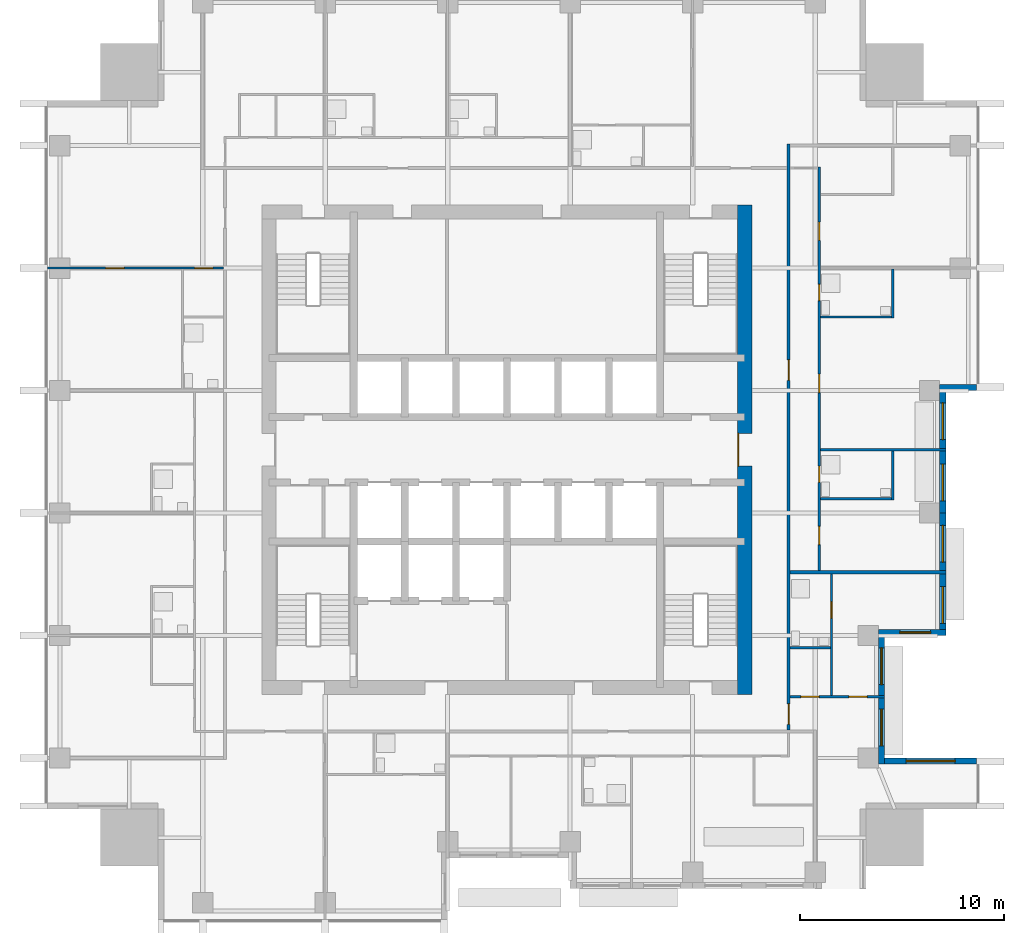
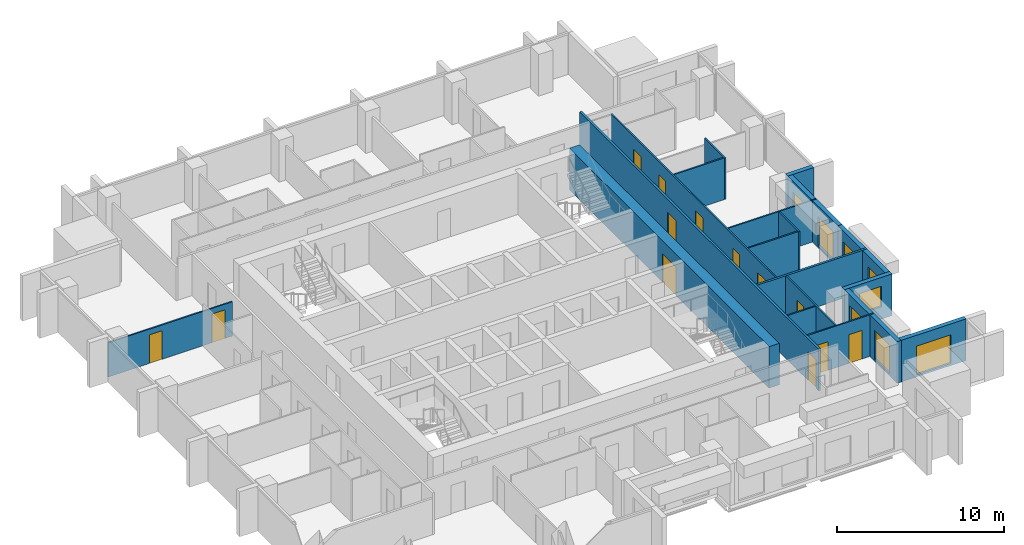
# One storey, part 6 of 10: 19 walls, 13 doors, 8 windows, 21 openings.
"""IFC4 building model written with IfcOpenShell, lengths in metres."""

from ifc_helpers import new_model, si_unit, direction, frame, frame_2d, origin, place, context, subcontext, project, spatial, rectangle, extrude, material, layer, layer_set, type_object, element, fill, save


model = new_model("IFC4")

# Units and contexts
model_context = context("Model", 3, precision=1e-05, world=origin(), true_north=direction((0.0, 1.0)))
body_context = subcontext(model_context, "Body", "Model", "MODEL_VIEW")
ifc_project = project(units=[si_unit("LENGTHUNIT", "METRE"), si_unit("AREAUNIT", "SQUARE_METRE"), si_unit("VOLUMEUNIT", "CUBIC_METRE"), si_unit("PLANEANGLEUNIT", "RADIAN"), si_unit("MASSUNIT", "GRAM", prefix="KILO")], contexts=[model_context])

# Site, building, storey
site_placement = place(None, origin())
site = spatial("IfcSite", under=ifc_project, at=site_placement, CompositionType="ELEMENT")
building_placement = place(site_placement, origin())
building = spatial("IfcBuilding", under=site, at=building_placement, Name="Amberfall Residences", CompositionType="ELEMENT")
storey_placement = place(building_placement, frame((0.0, 0.0, 140.5)))
storey = spatial("IfcBuildingStorey", under=building, at=storey_placement, Name="L37", CompositionType="ELEMENT", Elevation=140.5)

# Wall, opening, window
ifc_material_1 = material(Name="Pale stone cladding on insulated backing", Category="masonry")
ifc_layer_1 = layer(ifc_material_1, 0.300048828125)
ifc_layer_set_1 = layer_set([ifc_layer_1], Name="Bronze clad wall 300")
wall_type_1 = type_object("IfcWallType", Name="Bronze clad wall 300", PredefinedType="SOLIDWALL", material=ifc_layer_set_1)
wall_1_placement = place(storey_placement, frame((97.5, 30.25, 0.0), z_axis=(0.0, 0.0, 1.0), x_axis=(-1.0, 0.0, 0.0)))
wall_1 = element("IfcWall", 1, at=wall_1_placement, inside=storey, type_object=wall_type_1, Name="External wall L37 E", PredefinedType="SOLIDWALL", context=body_context, shape_type="SweptSolid", body=[
    extrude(rectangle(XDim=4.5, YDim=0.300048828125, at=frame_2d((2.25, 0.0))), origin(), (0.0, 0.0, 1.0), 3.050048828125),
])
opening_1_placement = place(wall_1_placement, frame((1.050048828125, 0.0, 0.14990234375)))
opening_1 = element("IfcOpeningElement", 2, at=opening_1_placement, cuts=wall_1, Name="Opening WN5", PredefinedType="OPENING", context=body_context, shape_type="SweptSolid", body=[
    extrude(rectangle(XDim=2.39990234375, YDim=2.10009765625, at=frame_2d((1.199951171875, 1.050048828125))), frame((0.0, 0.159912109375, 0.0), z_axis=(0.0, -1.0, 0.0), x_axis=(1.0, 0.0, 0.0)), (0.0, 0.0, 1.0), 0.320068359375),
])
ifc_material_2 = material(Name="Bronze aluminium framed glazing", Category="aluminium")
window_type_1 = type_object("IfcWindowType", Name="Glazed opening 2400 x 2100 bronze", PartitioningType="DOUBLE_PANEL_VERTICAL", PredefinedType="WINDOW", material=ifc_material_2)
window_1_placement = place(opening_1_placement, origin())
window_1 = element("IfcWindow", 3, at=window_1_placement, inside=storey, type_object=window_type_1, Name="Window L37 E", OverallHeight=2.10009765625, OverallWidth=2.39990234375, PartitioningType="DOUBLE_PANEL_VERTICAL", PredefinedType="WINDOW", context=body_context, shape_type="SweptSolid", body=[
    extrude(rectangle(XDim=2.39990234375, YDim=2.10009765625, at=frame_2d((1.199951171875, 1.050048828125))), frame((0.0, 0.030029296875, 0.0), z_axis=(0.0, -1.0, 0.0), x_axis=(1.0, 0.0, 0.0)), (0.0, 0.0, 1.0), 0.06005859375),
])
fill(opening_1, window_1)

wall_2_placement = place(storey_placement, frame((92.699951171875, 36.550048828125, 0.0), z_axis=(0.0, 0.0, 1.0), x_axis=(1.0, 0.0, 0.0)))
wall_2 = element("IfcWall", 4, at=wall_2_placement, inside=storey, type_object=wall_type_1, Name="External wall L37 E", PredefinedType="SOLIDWALL", context=body_context, shape_type="SweptSolid", body=[
    extrude(rectangle(XDim=3.300048828125, YDim=0.300048828125, at=frame_2d((1.64990234375, 0.0))), origin(), (0.0, 0.0, 1.0), 3.050048828125),
])
opening_2_placement = place(wall_2_placement, frame((1.050048828125, 0.0, 0.89990234375)))
opening_2 = element("IfcOpeningElement", 5, at=opening_2_placement, cuts=wall_2, Name="Opening WN1", PredefinedType="OPENING", context=body_context, shape_type="SweptSolid", body=[
    extrude(rectangle(XDim=1.5, YDim=1.5, at=frame_2d((0.75, 0.75))), frame((0.0, 0.159912109375, 0.0), z_axis=(0.0, -1.0, 0.0), x_axis=(1.0, 0.0, 0.0)), (0.0, 0.0, 1.0), 0.320068359375),
])
window_type_2 = type_object("IfcWindowType", Name="Window 1500 x 1500 bronze", PartitioningType="DOUBLE_PANEL_VERTICAL", PredefinedType="WINDOW", material=ifc_material_2)
window_2_placement = place(opening_2_placement, origin())
window_2 = element("IfcWindow", 6, at=window_2_placement, inside=storey, type_object=window_type_2, Name="Window L37 E", OverallHeight=1.5, OverallWidth=1.5, PartitioningType="DOUBLE_PANEL_VERTICAL", PredefinedType="WINDOW", context=body_context, shape_type="SweptSolid", body=[
    extrude(rectangle(XDim=1.5, YDim=1.5, at=frame_2d((0.75, 0.75))), frame((0.0, 0.030029296875, 0.0), z_axis=(0.0, -1.0, 0.0), x_axis=(1.0, 0.0, 0.0)), (0.0, 0.0, 1.0), 0.06005859375),
])
fill(opening_2, window_2)

# Wall
wall_3_placement = place(storey_placement, frame((95.699951171875, 48.550048828125, 0.0), z_axis=(0.0, 0.0, 1.0), x_axis=(1.0, 0.0, 0.0)))
element("IfcWall", 7, at=wall_3_placement, inside=storey, type_object=wall_type_1, Name="External wall L37 E", PredefinedType="SOLIDWALL", context=body_context, shape_type="SweptSolid", body=[
    extrude(rectangle(XDim=1.800048828125, YDim=0.300048828125, at=frame_2d((0.89990234375, 0.0))), origin(), (0.0, 0.0, 1.0), 3.050048828125),
])

# Wall, openings, windows
wall_4_placement = place(storey_placement, frame((92.85009765625, 30.10009765625, 0.0), z_axis=(0.0, 0.0, 1.0), x_axis=(0.0, 1.0, 0.0)))
wall_4 = element("IfcWall", 8, at=wall_4_placement, inside=storey, type_object=wall_type_1, Name="Stone wall L37 E", PredefinedType="SOLIDWALL", context=body_context, shape_type="SweptSolid", body=[
    extrude(rectangle(XDim=6.2998046875, YDim=0.300048828125, at=frame_2d((3.14990234375, 0.0))), origin(), (0.0, 0.0, 1.0), 3.050048828125),
])
opening_3_placement = place(wall_4_placement, frame((0.89990234375, 0.0, 0.14990234375)))
opening_3 = element("IfcOpeningElement", 9, at=opening_3_placement, cuts=wall_4, Name="Opening WN6", PredefinedType="OPENING", context=body_context, shape_type="SweptSolid", body=[
    extrude(rectangle(XDim=1.800048828125, YDim=2.10009765625, at=frame_2d((0.89990234375, 1.050048828125))), frame((0.0, 0.159912109375, 0.0), z_axis=(0.0, -1.0, 0.0), x_axis=(1.0, 0.0, 0.0)), (0.0, 0.0, 1.0), 0.320068359375),
])
opening_4_placement = place(wall_4_placement, frame((3.89990234375, 0.0, 0.14990234375)))
opening_4 = element("IfcOpeningElement", 10, at=opening_4_placement, cuts=wall_4, Name="Opening WN6", PredefinedType="OPENING", context=body_context, shape_type="SweptSolid", body=[
    extrude(rectangle(XDim=1.800048828125, YDim=2.10009765625, at=frame_2d((0.89990234375, 1.050048828125))), frame((0.0, 0.159912109375, 0.0), z_axis=(0.0, -1.0, 0.0), x_axis=(1.0, 0.0, 0.0)), (0.0, 0.0, 1.0), 0.320068359375),
])
window_type_3 = type_object("IfcWindowType", Name="Glazed opening 1800 x 2100 bronze", PartitioningType="DOUBLE_PANEL_VERTICAL", PredefinedType="WINDOW", material=ifc_material_2)
window_3_placement = place(opening_3_placement, origin())
window_3 = element("IfcWindow", 11, at=window_3_placement, inside=storey, type_object=window_type_3, Name="Window L37 E", OverallHeight=2.10009765625, OverallWidth=1.800048828125, PartitioningType="DOUBLE_PANEL_VERTICAL", PredefinedType="WINDOW", context=body_context, shape_type="SweptSolid", body=[
    extrude(rectangle(XDim=1.800048828125, YDim=2.10009765625, at=frame_2d((0.89990234375, 1.050048828125))), frame((0.0, 0.030029296875, 0.0), z_axis=(0.0, -1.0, 0.0), x_axis=(1.0, 0.0, 0.0)), (0.0, 0.0, 1.0), 0.06005859375),
])
fill(opening_3, window_3)
window_4_placement = place(opening_4_placement, origin())
window_4 = element("IfcWindow", 12, at=window_4_placement, inside=storey, type_object=window_type_3, Name="Window L37 E", OverallHeight=2.10009765625, OverallWidth=1.800048828125, PartitioningType="DOUBLE_PANEL_VERTICAL", PredefinedType="WINDOW", context=body_context, shape_type="SweptSolid", body=[
    extrude(rectangle(XDim=1.800048828125, YDim=2.10009765625, at=frame_2d((0.89990234375, 1.050048828125))), frame((0.0, 0.030029296875, 0.0), z_axis=(0.0, -1.0, 0.0), x_axis=(1.0, 0.0, 0.0)), (0.0, 0.0, 1.0), 0.06005859375),
])
fill(opening_4, window_4)

wall_5_placement = place(storey_placement, frame((95.85009765625, 36.699951171875, 0.0), z_axis=(0.0, 0.0, 1.0), x_axis=(0.0, 1.0, 0.0)))
wall_5 = element("IfcWall", 13, at=wall_5_placement, inside=storey, type_object=wall_type_1, Name="Stone wall L37 E", PredefinedType="SOLIDWALL", context=body_context, shape_type="SweptSolid", body=[
    extrude(rectangle(XDim=5.699951171875, YDim=0.300048828125, at=frame_2d((2.85009765625, 0.0))), origin(), (0.0, 0.0, 1.0), 3.050048828125),
])
opening_5_placement = place(wall_5_placement, frame((0.300048828125, 0.0, 0.14990234375)))
opening_5 = element("IfcOpeningElement", 14, at=opening_5_placement, cuts=wall_5, Name="Opening WN6", PredefinedType="OPENING", context=body_context, shape_type="SweptSolid", body=[
    extrude(rectangle(XDim=1.800048828125, YDim=2.10009765625, at=frame_2d((0.89990234375, 1.050048828125))), frame((0.0, 0.159912109375, 0.0), z_axis=(0.0, -1.0, 0.0), x_axis=(1.0, 0.0, 0.0)), (0.0, 0.0, 1.0), 0.320068359375),
])
opening_6_placement = place(wall_5_placement, frame((3.300048828125, 0.0, 0.14990234375)))
opening_6 = element("IfcOpeningElement", 15, at=opening_6_placement, cuts=wall_5, Name="Opening WN6", PredefinedType="OPENING", context=body_context, shape_type="SweptSolid", body=[
    extrude(rectangle(XDim=1.800048828125, YDim=2.10009765625, at=frame_2d((0.89990234375, 1.050048828125))), frame((0.0, 0.159912109375, 0.0), z_axis=(0.0, -1.0, 0.0), x_axis=(1.0, 0.0, 0.0)), (0.0, 0.0, 1.0), 0.320068359375),
])
window_5_placement = place(opening_5_placement, origin())
window_5 = element("IfcWindow", 16, at=window_5_placement, inside=storey, type_object=window_type_3, Name="Window L37 E", OverallHeight=2.10009765625, OverallWidth=1.800048828125, PartitioningType="DOUBLE_PANEL_VERTICAL", PredefinedType="WINDOW", context=body_context, shape_type="SweptSolid", body=[
    extrude(rectangle(XDim=1.800048828125, YDim=2.10009765625, at=frame_2d((0.89990234375, 1.050048828125))), frame((0.0, 0.030029296875, 0.0), z_axis=(0.0, -1.0, 0.0), x_axis=(1.0, 0.0, 0.0)), (0.0, 0.0, 1.0), 0.06005859375),
])
fill(opening_5, window_5)
window_6_placement = place(opening_6_placement, origin())
window_6 = element("IfcWindow", 17, at=window_6_placement, inside=storey, type_object=window_type_3, Name="Window L37 E", OverallHeight=2.10009765625, OverallWidth=1.800048828125, PartitioningType="DOUBLE_PANEL_VERTICAL", PredefinedType="WINDOW", context=body_context, shape_type="SweptSolid", body=[
    extrude(rectangle(XDim=1.800048828125, YDim=2.10009765625, at=frame_2d((0.89990234375, 1.050048828125))), frame((0.0, 0.030029296875, 0.0), z_axis=(0.0, -1.0, 0.0), x_axis=(1.0, 0.0, 0.0)), (0.0, 0.0, 1.0), 0.06005859375),
])
fill(opening_6, window_6)

wall_6_placement = place(storey_placement, frame((95.85009765625, 42.39990234375, 0.0), z_axis=(0.0, 0.0, 1.0), x_axis=(0.0, 1.0, 0.0)))
wall_6 = element("IfcWall", 18, at=wall_6_placement, inside=storey, type_object=wall_type_1, Name="Stone wall L37 E", PredefinedType="SOLIDWALL", context=body_context, shape_type="SweptSolid", body=[
    extrude(rectangle(XDim=6.0, YDim=0.300048828125, at=frame_2d((3.0, 0.0))), origin(), (0.0, 0.0, 1.0), 3.050048828125),
])
opening_7_placement = place(wall_6_placement, frame((0.60009765625, 0.0, 0.14990234375)))
opening_7 = element("IfcOpeningElement", 19, at=opening_7_placement, cuts=wall_6, Name="Opening WN6", PredefinedType="OPENING", context=body_context, shape_type="SweptSolid", body=[
    extrude(rectangle(XDim=1.800048828125, YDim=2.10009765625, at=frame_2d((0.89990234375, 1.050048828125))), frame((0.0, 0.159912109375, 0.0), z_axis=(0.0, -1.0, 0.0), x_axis=(1.0, 0.0, 0.0)), (0.0, 0.0, 1.0), 0.320068359375),
])
opening_8_placement = place(wall_6_placement, frame((3.60009765625, 0.0, 0.14990234375)))
opening_8 = element("IfcOpeningElement", 20, at=opening_8_placement, cuts=wall_6, Name="Opening WN6", PredefinedType="OPENING", context=body_context, shape_type="SweptSolid", body=[
    extrude(rectangle(XDim=1.800048828125, YDim=2.10009765625, at=frame_2d((0.89990234375, 1.050048828125))), frame((0.0, 0.159912109375, 0.0), z_axis=(0.0, -1.0, 0.0), x_axis=(1.0, 0.0, 0.0)), (0.0, 0.0, 1.0), 0.320068359375),
])
window_7_placement = place(opening_7_placement, origin())
window_7 = element("IfcWindow", 21, at=window_7_placement, inside=storey, type_object=window_type_3, Name="Window L37 E", OverallHeight=2.10009765625, OverallWidth=1.800048828125, PartitioningType="DOUBLE_PANEL_VERTICAL", PredefinedType="WINDOW", context=body_context, shape_type="SweptSolid", body=[
    extrude(rectangle(XDim=1.800048828125, YDim=2.10009765625, at=frame_2d((0.89990234375, 1.050048828125))), frame((0.0, 0.030029296875, 0.0), z_axis=(0.0, -1.0, 0.0), x_axis=(1.0, 0.0, 0.0)), (0.0, 0.0, 1.0), 0.06005859375),
])
fill(opening_7, window_7)
window_8_placement = place(opening_8_placement, origin())
window_8 = element("IfcWindow", 22, at=window_8_placement, inside=storey, type_object=window_type_3, Name="Window L37 E", OverallHeight=2.10009765625, OverallWidth=1.800048828125, PartitioningType="DOUBLE_PANEL_VERTICAL", PredefinedType="WINDOW", context=body_context, shape_type="SweptSolid", body=[
    extrude(rectangle(XDim=1.800048828125, YDim=2.10009765625, at=frame_2d((0.89990234375, 1.050048828125))), frame((0.0, 0.030029296875, 0.0), z_axis=(0.0, -1.0, 0.0), x_axis=(1.0, 0.0, 0.0)), (0.0, 0.0, 1.0), 0.06005859375),
])
fill(opening_8, window_8)

# Wall, opening, door
ifc_material_3 = material(Name="Concrete C60", Category="concrete")
ifc_layer_2 = layer(ifc_material_3, 0.699951171875)
ifc_layer_set_2 = layer_set([ifc_layer_2], Name="Core wall 700 C60")
wall_type_2 = type_object("IfcWallType", Name="Core wall 700 C60", PredefinedType="SHEAR", material=ifc_layer_set_2)
wall_7_placement = place(storey_placement, frame((86.14990234375, 33.5, 0.0), z_axis=(0.0, 0.0, 1.0), x_axis=(0.0, 1.0, 0.0)))
wall_7 = element("IfcWall", 23, at=wall_7_placement, inside=storey, type_object=wall_type_2, Name="Core wall RW5 L37 OE", PredefinedType="SHEAR", context=body_context, shape_type="SweptSolid", body=[
    extrude(rectangle(XDim=24.0, YDim=0.699951171875, at=frame_2d((12.0, 0.0))), origin(), (0.0, 0.0, 1.0), 3.050048828125),
])
opening_9_placement = place(wall_7_placement, frame((11.199951171875, 0.0, 0.0)))
opening_9 = element("IfcOpeningElement", 24, at=opening_9_placement, cuts=wall_7, Name="Opening LB1", PredefinedType="OPENING", context=body_context, shape_type="SweptSolid", body=[
    extrude(rectangle(XDim=1.60009765625, YDim=2.10009765625, at=frame_2d((0.800048828125, 1.050048828125))), frame((0.0, 0.35986328125, 0.0), z_axis=(0.0, -1.0, 0.0), x_axis=(1.0, 0.0, 0.0)), (0.0, 0.0, 1.0), 0.719970703125),
])
ifc_material_4 = material(Name="Steel fire door set", Category="steel")
door_type_1 = type_object("IfcDoorType", Name="Lift lobby double door 1600 x 2100", OperationType="DOUBLE_DOOR_SINGLE_SWING", PredefinedType="DOOR", material=ifc_material_4)
door_1_placement = place(opening_9_placement, origin())
door_1 = element("IfcDoor", 25, at=door_1_placement, inside=storey, type_object=door_type_1, Name="LB1 L37", OperationType="DOUBLE_DOOR_SINGLE_SWING", OverallHeight=2.10009765625, OverallWidth=1.60009765625, PredefinedType="DOOR", context=body_context, shape_type="SweptSolid", body=[
    extrude(rectangle(XDim=1.60009765625, YDim=2.10009765625, at=frame_2d((0.800048828125, 1.050048828125))), frame((0.0, 0.33740234375, 0.0), z_axis=(0.0, -1.0, 0.0), x_axis=(1.0, 0.0, 0.0)), (0.0, 0.0, 1.0), 0.050048828125),
])
fill(opening_9, door_1)

# Wall, openings, doors
ifc_material_5 = material(Name="Gypsum board on metal stud")
ifc_layer_3 = layer(ifc_material_5, 0.10009765625)
ifc_layer_set_3 = layer_set([ifc_layer_3], Name="Flat partition 100")
wall_type_3 = type_object("IfcWallType", Name="Flat partition 100", PredefinedType="PARTITIONING", material=ifc_layer_set_3)
wall_8_placement = place(storey_placement, frame((89.800048828125, 59.35009765625, 0.0), z_axis=(0.0, 0.0, 1.0), x_axis=(0.0, -1.0, 0.0)))
wall_8 = element("IfcWall", 26, at=wall_8_placement, inside=storey, type_object=wall_type_3, Name="Partition 021", PredefinedType="PARTITIONING", context=body_context, shape_type="SweptSolid", body=[
    extrude(rectangle(XDim=19.775146484375, YDim=0.10009765625, at=frame_2d((9.8876953125, 0.0))), origin(), (0.0, 0.0, 1.0), 3.050048828125),
])
opening_10_placement = place(wall_8_placement, frame((2.699951171875, 0.0, 0.0)))
opening_10 = element("IfcOpeningElement", 27, at=opening_10_placement, cuts=wall_8, Name="Opening D41", PredefinedType="OPENING", context=body_context, shape_type="SweptSolid", body=[
    extrude(rectangle(XDim=0.89990234375, YDim=2.10009765625, at=frame_2d((0.449951171875, 1.050048828125))), frame((0.0, 0.06005859375, 0.0), z_axis=(0.0, -1.0, 0.0), x_axis=(1.0, 0.0, 0.0)), (0.0, 0.0, 1.0), 0.1201171875),
])
opening_11_placement = place(wall_8_placement, frame((17.60009765625, 0.0, 0.0)))
opening_11 = element("IfcOpeningElement", 28, at=opening_11_placement, cuts=wall_8, Name="Opening D41", PredefinedType="OPENING", context=body_context, shape_type="SweptSolid", body=[
    extrude(rectangle(XDim=0.89990234375, YDim=2.10009765625, at=frame_2d((0.449951171875, 1.050048828125))), frame((0.0, 0.06005859375, 0.0), z_axis=(0.0, -1.0, 0.0), x_axis=(1.0, 0.0, 0.0)), (0.0, 0.0, 1.0), 0.1201171875),
])
opening_12_placement = place(wall_8_placement, frame((10.14990234375, 0.0, 0.0)))
opening_12 = element("IfcOpeningElement", 29, at=opening_12_placement, cuts=wall_8, Name="Opening D41", PredefinedType="OPENING", context=body_context, shape_type="SweptSolid", body=[
    extrude(rectangle(XDim=0.89990234375, YDim=2.10009765625, at=frame_2d((0.449951171875, 1.050048828125))), frame((0.0, 0.06005859375, 0.0), z_axis=(0.0, -1.0, 0.0), x_axis=(1.0, 0.0, 0.0)), (0.0, 0.0, 1.0), 0.1201171875),
])
opening_13_placement = place(wall_8_placement, frame((14.64990234375, 0.0, 0.0)))
opening_13 = element("IfcOpeningElement", 30, at=opening_13_placement, cuts=wall_8, Name="Opening D42", PredefinedType="OPENING", context=body_context, shape_type="SweptSolid", body=[
    extrude(rectangle(XDim=0.800048828125, YDim=2.10009765625, at=frame_2d((0.39990234375, 1.050048828125))), frame((0.0, 0.06005859375, 0.0), z_axis=(0.0, -1.0, 0.0), x_axis=(1.0, 0.0, 0.0)), (0.0, 0.0, 1.0), 0.1201171875),
])
opening_14_placement = place(wall_8_placement, frame((5.75, 0.0, 0.0)))
opening_14 = element("IfcOpeningElement", 31, at=opening_14_placement, cuts=wall_8, Name="Opening D42", PredefinedType="OPENING", context=body_context, shape_type="SweptSolid", body=[
    extrude(rectangle(XDim=0.800048828125, YDim=2.10009765625, at=frame_2d((0.39990234375, 1.050048828125))), frame((0.0, 0.06005859375, 0.0), z_axis=(0.0, -1.0, 0.0), x_axis=(1.0, 0.0, 0.0)), (0.0, 0.0, 1.0), 0.1201171875),
])
ifc_material_6 = material(Name="Timber", Category="wood")
door_type_2 = type_object("IfcDoorType", Name="Bathroom door 800 x 2100", OperationType="SINGLE_SWING_LEFT", PredefinedType="DOOR", material=ifc_material_6)
door_2_placement = place(opening_13_placement, origin())
door_2 = element("IfcDoor", 32, at=door_2_placement, inside=storey, type_object=door_type_2, Name="Door 3704 bath1", OperationType="SINGLE_SWING_LEFT", OverallHeight=2.10009765625, OverallWidth=0.800048828125, PredefinedType="DOOR", context=body_context, shape_type="SweptSolid", body=[
    extrude(rectangle(XDim=0.800048828125, YDim=2.10009765625, at=frame_2d((0.39990234375, 1.050048828125))), frame((0.0, 0.02490234375, 0.0), z_axis=(0.0, -1.0, 0.0), x_axis=(1.0, 0.0, 0.0)), (0.0, 0.0, 1.0), 0.050048828125),
])
fill(opening_13, door_2)
door_3_placement = place(opening_14_placement, origin())
door_3 = element("IfcDoor", 33, at=door_3_placement, inside=storey, type_object=door_type_2, Name="Door 3704 bath2", OperationType="SINGLE_SWING_LEFT", OverallHeight=2.10009765625, OverallWidth=0.800048828125, PredefinedType="DOOR", context=body_context, shape_type="SweptSolid", body=[
    extrude(rectangle(XDim=0.800048828125, YDim=2.10009765625, at=frame_2d((0.39990234375, 1.050048828125))), frame((0.0, 0.02490234375, 0.0), z_axis=(0.0, -1.0, 0.0), x_axis=(1.0, 0.0, 0.0)), (0.0, 0.0, 1.0), 0.050048828125),
])
fill(opening_14, door_3)
door_type_3 = type_object("IfcDoorType", Name="Internal door 900 x 2100", OperationType="SINGLE_SWING_LEFT", PredefinedType="DOOR", material=ifc_material_6)
door_4_placement = place(opening_10_placement, origin())
door_4 = element("IfcDoor", 34, at=door_4_placement, inside=storey, type_object=door_type_3, Name="Door 3704 living", OperationType="SINGLE_SWING_LEFT", OverallHeight=2.10009765625, OverallWidth=0.89990234375, PredefinedType="DOOR", context=body_context, shape_type="SweptSolid", body=[
    extrude(rectangle(XDim=0.89990234375, YDim=2.10009765625, at=frame_2d((0.449951171875, 1.050048828125))), frame((0.0, 0.02490234375, 0.0), z_axis=(0.0, -1.0, 0.0), x_axis=(1.0, 0.0, 0.0)), (0.0, 0.0, 1.0), 0.050048828125),
])
fill(opening_10, door_4)
door_5_placement = place(opening_11_placement, origin())
door_5 = element("IfcDoor", 35, at=door_5_placement, inside=storey, type_object=door_type_3, Name="Door 3704 bedroom1", OperationType="SINGLE_SWING_LEFT", OverallHeight=2.10009765625, OverallWidth=0.89990234375, PredefinedType="DOOR", context=body_context, shape_type="SweptSolid", body=[
    extrude(rectangle(XDim=0.89990234375, YDim=2.10009765625, at=frame_2d((0.449951171875, 1.050048828125))), frame((0.0, 0.02490234375, 0.0), z_axis=(0.0, -1.0, 0.0), x_axis=(1.0, 0.0, 0.0)), (0.0, 0.0, 1.0), 0.050048828125),
])
fill(opening_11, door_5)
door_6_placement = place(opening_12_placement, origin())
door_6 = element("IfcDoor", 36, at=door_6_placement, inside=storey, type_object=door_type_3, Name="Door 3704 bedroom2", OperationType="SINGLE_SWING_LEFT", OverallHeight=2.10009765625, OverallWidth=0.89990234375, PredefinedType="DOOR", context=body_context, shape_type="SweptSolid", body=[
    extrude(rectangle(XDim=0.89990234375, YDim=2.10009765625, at=frame_2d((0.449951171875, 1.050048828125))), frame((0.0, 0.02490234375, 0.0), z_axis=(0.0, -1.0, 0.0), x_axis=(1.0, 0.0, 0.0)), (0.0, 0.0, 1.0), 0.050048828125),
])
fill(opening_12, door_6)

# Wall, opening, door
wall_9_placement = place(storey_placement, frame((90.39990234375, 33.449951171875, 0.0), z_axis=(0.0, 0.0, 1.0), x_axis=(0.0, 1.0, 0.0)))
wall_9 = element("IfcWall", 37, at=wall_9_placement, inside=storey, type_object=wall_type_3, Name="Partition 022", PredefinedType="PARTITIONING", context=body_context, shape_type="SweptSolid", body=[
    extrude(rectangle(XDim=5.97509765625, YDim=0.10009765625, at=frame_2d((2.987548828125, 0.0))), origin(), (0.0, 0.0, 1.0), 3.050048828125),
])
opening_15_placement = place(wall_9_placement, frame((3.800048828125, 0.0, 0.0)))
opening_15 = element("IfcOpeningElement", 38, at=opening_15_placement, cuts=wall_9, Name="Opening D42", PredefinedType="OPENING", context=body_context, shape_type="SweptSolid", body=[
    extrude(rectangle(XDim=0.800048828125, YDim=2.10009765625, at=frame_2d((0.39990234375, 1.050048828125))), frame((0.0, 0.06005859375, 0.0), z_axis=(0.0, -1.0, 0.0), x_axis=(1.0, 0.0, 0.0)), (0.0, 0.0, 1.0), 0.1201171875),
])
door_7_placement = place(opening_15_placement, origin())
door_7 = element("IfcDoor", 39, at=door_7_placement, inside=storey, type_object=door_type_2, Name="Door 3703 bath1", OperationType="SINGLE_SWING_LEFT", OverallHeight=2.10009765625, OverallWidth=0.800048828125, PredefinedType="DOOR", context=body_context, shape_type="SweptSolid", body=[
    extrude(rectangle(XDim=0.800048828125, YDim=2.10009765625, at=frame_2d((0.39990234375, 1.050048828125))), frame((0.0, 0.02490234375, 0.0), z_axis=(0.0, -1.0, 0.0), x_axis=(1.0, 0.0, 0.0)), (0.0, 0.0, 1.0), 0.050048828125),
])
fill(opening_15, door_7)

# Walls
wall_10_placement = place(storey_placement, frame((93.39990234375, 43.050048828125, 0.0), z_axis=(0.0, 0.0, 1.0), x_axis=(0.0, 1.0, 0.0)))
element("IfcWall", 40, at=wall_10_placement, inside=storey, type_object=wall_type_3, Name="Partition 023", PredefinedType="PARTITIONING", context=body_context, shape_type="SweptSolid", body=[
    extrude(rectangle(XDim=2.39990234375, YDim=0.10009765625, at=frame_2d((1.199951171875, 0.0))), origin(), (0.0, 0.0, 1.0), 3.050048828125),
])
wall_11_placement = place(storey_placement, frame((93.39990234375, 51.949951171875, 0.0), z_axis=(0.0, 0.0, 1.0), x_axis=(0.0, 1.0, 0.0)))
element("IfcWall", 41, at=wall_11_placement, inside=storey, type_object=wall_type_3, Name="Partition 024", PredefinedType="PARTITIONING", context=body_context, shape_type="SweptSolid", body=[
    extrude(rectangle(XDim=2.400146484375, YDim=0.10009765625, at=frame_2d((1.2001953125, 0.0))), origin(), (0.0, 0.0, 1.0), 3.050048828125),
])

# Wall, openings, doors
wall_12_placement = place(storey_placement, frame((60.625, 54.39990234375, 0.0), z_axis=(0.0, 0.0, 1.0), x_axis=(-1.0, 0.0, 0.0)))
wall_12 = element("IfcWall", 42, at=wall_12_placement, inside=storey, type_object=wall_type_3, Name="Partition 032", PredefinedType="PARTITIONING", context=body_context, shape_type="SweptSolid", body=[
    extrude(rectangle(XDim=8.625, YDim=0.10009765625, at=frame_2d((4.3125, 0.0))), origin(), (0.0, 0.0, 1.0), 2.51611328125),
])
opening_16_placement = place(wall_12_placement, frame((0.52490234375, 0.0, 0.0)))
opening_16 = element("IfcOpeningElement", 43, at=opening_16_placement, cuts=wall_12, Name="Opening D41", PredefinedType="OPENING", context=body_context, shape_type="SweptSolid", body=[
    extrude(rectangle(XDim=0.89990234375, YDim=2.10009765625, at=frame_2d((0.449951171875, 1.050048828125))), frame((0.0, 0.06005859375, 0.0), z_axis=(0.0, -1.0, 0.0), x_axis=(1.0, 0.0, 0.0)), (0.0, 0.0, 1.0), 0.1201171875),
])
opening_17_placement = place(wall_12_placement, frame((4.875, 0.0, 0.0)))
opening_17 = element("IfcOpeningElement", 44, at=opening_17_placement, cuts=wall_12, Name="Opening D41", PredefinedType="OPENING", context=body_context, shape_type="SweptSolid", body=[
    extrude(rectangle(XDim=0.89990234375, YDim=2.10009765625, at=frame_2d((0.449951171875, 1.050048828125))), frame((0.0, 0.06005859375, 0.0), z_axis=(0.0, -1.0, 0.0), x_axis=(1.0, 0.0, 0.0)), (0.0, 0.0, 1.0), 0.1201171875),
])
door_8_placement = place(opening_16_placement, origin())
door_8 = element("IfcDoor", 45, at=door_8_placement, inside=storey, type_object=door_type_3, Name="Door 3708 kitchen", OperationType="SINGLE_SWING_LEFT", OverallHeight=2.10009765625, OverallWidth=0.89990234375, PredefinedType="DOOR", context=body_context, shape_type="SweptSolid", body=[
    extrude(rectangle(XDim=0.89990234375, YDim=2.10009765625, at=frame_2d((0.449951171875, 1.050048828125))), frame((0.0, 0.02490234375, 0.0), z_axis=(0.0, -1.0, 0.0), x_axis=(1.0, 0.0, 0.0)), (0.0, 0.0, 1.0), 0.050048828125),
])
fill(opening_16, door_8)
door_9_placement = place(opening_17_placement, origin())
door_9 = element("IfcDoor", 46, at=door_9_placement, inside=storey, type_object=door_type_3, Name="Door 3708 bedroom1", OperationType="SINGLE_SWING_LEFT", OverallHeight=2.10009765625, OverallWidth=0.89990234375, PredefinedType="DOOR", context=body_context, shape_type="SweptSolid", body=[
    extrude(rectangle(XDim=0.89990234375, YDim=2.10009765625, at=frame_2d((0.449951171875, 1.050048828125))), frame((0.0, 0.02490234375, 0.0), z_axis=(0.0, -1.0, 0.0), x_axis=(1.0, 0.0, 0.0)), (0.0, 0.0, 1.0), 0.050048828125),
])
fill(opening_17, door_9)

# Walls
wall_13_placement = place(storey_placement, frame((89.85009765625, 52.0, 0.0), z_axis=(0.0, 0.0, 1.0), x_axis=(1.0, 0.0, 0.0)))
element("IfcWall", 47, at=wall_13_placement, inside=storey, type_object=wall_type_3, Name="Partition 035", PredefinedType="PARTITIONING", context=body_context, shape_type="SweptSolid", body=[
    extrude(rectangle(XDim=3.5, YDim=0.10009765625, at=frame_2d((1.75, 0.0))), origin(), (0.0, 0.0, 1.0), 3.050048828125),
])
wall_14_placement = place(storey_placement, frame((89.85009765625, 45.5, 0.0), z_axis=(0.0, 0.0, 1.0), x_axis=(1.0, 0.0, 0.0)))
element("IfcWall", 48, at=wall_14_placement, inside=storey, type_object=wall_type_3, Name="Partition 036", PredefinedType="PARTITIONING", context=body_context, shape_type="SweptSolid", body=[
    extrude(rectangle(XDim=6.14990234375, YDim=0.10009765625, at=frame_2d((3.074951171875, 0.0))), origin(), (0.0, 0.0, 1.0), 3.050048828125),
])
wall_15_placement = place(storey_placement, frame((89.85009765625, 43.10009765625, 0.0), z_axis=(0.0, 0.0, 1.0), x_axis=(1.0, 0.0, 0.0)))
element("IfcWall", 49, at=wall_15_placement, inside=storey, type_object=wall_type_3, Name="Partition 038", PredefinedType="PARTITIONING", context=body_context, shape_type="SweptSolid", body=[
    extrude(rectangle(XDim=3.5, YDim=0.10009765625, at=frame_2d((1.75, 0.0))), origin(), (0.0, 0.0, 1.0), 3.050048828125),
])
wall_16_placement = place(storey_placement, frame((88.375, 35.800048828125, 0.0), z_axis=(0.0, 0.0, 1.0), x_axis=(1.0, 0.0, 0.0)))
element("IfcWall", 50, at=wall_16_placement, inside=storey, type_object=wall_type_3, Name="Partition 042", PredefinedType="PARTITIONING", context=body_context, shape_type="SweptSolid", body=[
    extrude(rectangle(XDim=1.97509765625, YDim=0.10009765625, at=frame_2d((0.987548828125, 0.0))), origin(), (0.0, 0.0, 1.0), 3.050048828125),
])

# Wall, openings, doors
wall_17_placement = place(storey_placement, frame((88.375, 33.39990234375, 0.0), z_axis=(0.0, 0.0, 1.0), x_axis=(1.0, 0.0, 0.0)))
wall_17 = element("IfcWall", 51, at=wall_17_placement, inside=storey, type_object=wall_type_3, Name="Partition 044", PredefinedType="PARTITIONING", context=body_context, shape_type="SweptSolid", body=[
    extrude(rectangle(XDim=4.625, YDim=0.10009765625, at=frame_2d((2.3125, 0.0))), origin(), (0.0, 0.0, 1.0), 3.050048828125),
])
opening_18_placement = place(wall_17_placement, frame((0.52490234375, 0.0, 0.0)))
opening_18 = element("IfcOpeningElement", 52, at=opening_18_placement, cuts=wall_17, Name="Opening D41", PredefinedType="OPENING", context=body_context, shape_type="SweptSolid", body=[
    extrude(rectangle(XDim=0.89990234375, YDim=2.10009765625, at=frame_2d((0.449951171875, 1.050048828125))), frame((0.0, 0.06005859375, 0.0), z_axis=(0.0, -1.0, 0.0), x_axis=(1.0, 0.0, 0.0)), (0.0, 0.0, 1.0), 0.1201171875),
])
opening_19_placement = place(wall_17_placement, frame((2.875, 0.0, 0.0)))
opening_19 = element("IfcOpeningElement", 53, at=opening_19_placement, cuts=wall_17, Name="Opening D41", PredefinedType="OPENING", context=body_context, shape_type="SweptSolid", body=[
    extrude(rectangle(XDim=0.89990234375, YDim=2.10009765625, at=frame_2d((0.449951171875, 1.050048828125))), frame((0.0, 0.06005859375, 0.0), z_axis=(0.0, -1.0, 0.0), x_axis=(1.0, 0.0, 0.0)), (0.0, 0.0, 1.0), 0.1201171875),
])
door_10_placement = place(opening_18_placement, origin())
door_10 = element("IfcDoor", 54, at=door_10_placement, inside=storey, type_object=door_type_3, Name="Door 3703 kitchen", OperationType="SINGLE_SWING_LEFT", OverallHeight=2.10009765625, OverallWidth=0.89990234375, PredefinedType="DOOR", context=body_context, shape_type="SweptSolid", body=[
    extrude(rectangle(XDim=0.89990234375, YDim=2.10009765625, at=frame_2d((0.449951171875, 1.050048828125))), frame((0.0, 0.02490234375, 0.0), z_axis=(0.0, -1.0, 0.0), x_axis=(1.0, 0.0, 0.0)), (0.0, 0.0, 1.0), 0.050048828125),
])
fill(opening_18, door_10)
door_11_placement = place(opening_19_placement, origin())
door_11 = element("IfcDoor", 55, at=door_11_placement, inside=storey, type_object=door_type_3, Name="Door 3703 bedroom1", OperationType="SINGLE_SWING_LEFT", OverallHeight=2.10009765625, OverallWidth=0.89990234375, PredefinedType="DOOR", context=body_context, shape_type="SweptSolid", body=[
    extrude(rectangle(XDim=0.89990234375, YDim=2.10009765625, at=frame_2d((0.449951171875, 1.050048828125))), frame((0.0, 0.02490234375, 0.0), z_axis=(0.0, -1.0, 0.0), x_axis=(1.0, 0.0, 0.0)), (0.0, 0.0, 1.0), 0.050048828125),
])
fill(opening_19, door_11)

ifc_material_7 = material(Name="Blockwork, plastered", Category="masonry")
ifc_layer_4 = layer(ifc_material_7, 0.14990234375)
ifc_layer_set_4 = layer_set([ifc_layer_4], Name="Flat separating wall 150")
wall_type_4 = type_object("IfcWallType", Name="Flat separating wall 150", PredefinedType="PARTITIONING", material=ifc_layer_set_4)
wall_18_placement = place(storey_placement, frame((88.300048828125, 60.47509765625, 0.0), z_axis=(0.0, 0.0, 1.0), x_axis=(0.0, -1.0, 0.0)))
wall_18 = element("IfcWall", 56, at=wall_18_placement, inside=storey, type_object=wall_type_4, Name="Separating wall 054", PredefinedType="PARTITIONING", context=body_context, shape_type="SweptSolid", body=[
    extrude(rectangle(XDim=28.7001953125, YDim=0.14990234375, at=frame_2d((14.35009765625, 0.0))), origin(), (0.0, 0.0, 1.0), 3.050048828125),
])
opening_20_placement = place(wall_18_placement, frame((27.425048828125, 0.0, 0.0)))
opening_20 = element("IfcOpeningElement", 57, at=opening_20_placement, cuts=wall_18, Name="Opening D40", PredefinedType="OPENING", context=body_context, shape_type="SweptSolid", body=[
    extrude(rectangle(XDim=1.0, YDim=2.10009765625, at=frame_2d((0.5, 1.050048828125))), frame((0.0, 0.0849609375, 0.0), z_axis=(0.0, -1.0, 0.0), x_axis=(1.0, 0.0, 0.0)), (0.0, 0.0, 1.0), 0.169921875),
])
opening_21_placement = place(wall_18_placement, frame((10.574951171875, 0.0, 0.0)))
opening_21 = element("IfcOpeningElement", 58, at=opening_21_placement, cuts=wall_18, Name="Opening D40", PredefinedType="OPENING", context=body_context, shape_type="SweptSolid", body=[
    extrude(rectangle(XDim=1.0, YDim=2.10009765625, at=frame_2d((0.5, 1.050048828125))), frame((0.0, 0.0849609375, 0.0), z_axis=(0.0, -1.0, 0.0), x_axis=(1.0, 0.0, 0.0)), (0.0, 0.0, 1.0), 0.169921875),
])
ifc_material_8 = material(Name="Timber, fire-rated", Category="wood")
door_type_4 = type_object("IfcDoorType", Name="Flat entrance door FD60 1000 x 2100", OperationType="SINGLE_SWING_LEFT", PredefinedType="DOOR", material=ifc_material_8)
door_12_placement = place(opening_20_placement, origin())
door_12 = element("IfcDoor", 59, at=door_12_placement, inside=storey, type_object=door_type_4, Name="Door 3703 entrance", OperationType="SINGLE_SWING_LEFT", OverallHeight=2.10009765625, OverallWidth=1.0, PredefinedType="DOOR", context=body_context, shape_type="SweptSolid", body=[
    extrude(rectangle(XDim=1.0, YDim=2.10009765625, at=frame_2d((0.5, 1.050048828125))), frame((0.0, 0.02490234375, 0.0), z_axis=(0.0, -1.0, 0.0), x_axis=(1.0, 0.0, 0.0)), (0.0, 0.0, 1.0), 0.050048828125),
])
fill(opening_20, door_12)
door_13_placement = place(opening_21_placement, origin())
door_13 = element("IfcDoor", 60, at=door_13_placement, inside=storey, type_object=door_type_4, Name="Door 3704 entrance", OperationType="SINGLE_SWING_LEFT", OverallHeight=2.10009765625, OverallWidth=1.0, PredefinedType="DOOR", context=body_context, shape_type="SweptSolid", body=[
    extrude(rectangle(XDim=1.0, YDim=2.10009765625, at=frame_2d((0.5, 1.050048828125))), frame((0.0, 0.02490234375, 0.0), z_axis=(0.0, -1.0, 0.0), x_axis=(1.0, 0.0, 0.0)), (0.0, 0.0, 1.0), 0.050048828125),
])
fill(opening_21, door_13)

# Wall
wall_19_placement = place(storey_placement, frame((88.375, 39.5, 0.0), z_axis=(0.0, 0.0, 1.0), x_axis=(1.0, 0.0, 0.0)))
element("IfcWall", 61, at=wall_19_placement, inside=storey, type_object=wall_type_4, Name="Separating wall 059", PredefinedType="PARTITIONING", context=body_context, shape_type="SweptSolid", body=[
    extrude(rectangle(XDim=7.625, YDim=0.14990234375, at=frame_2d((3.8125, 0.0))), origin(), (0.0, 0.0, 1.0), 3.050048828125),
])

save(model, "model.ifc")
